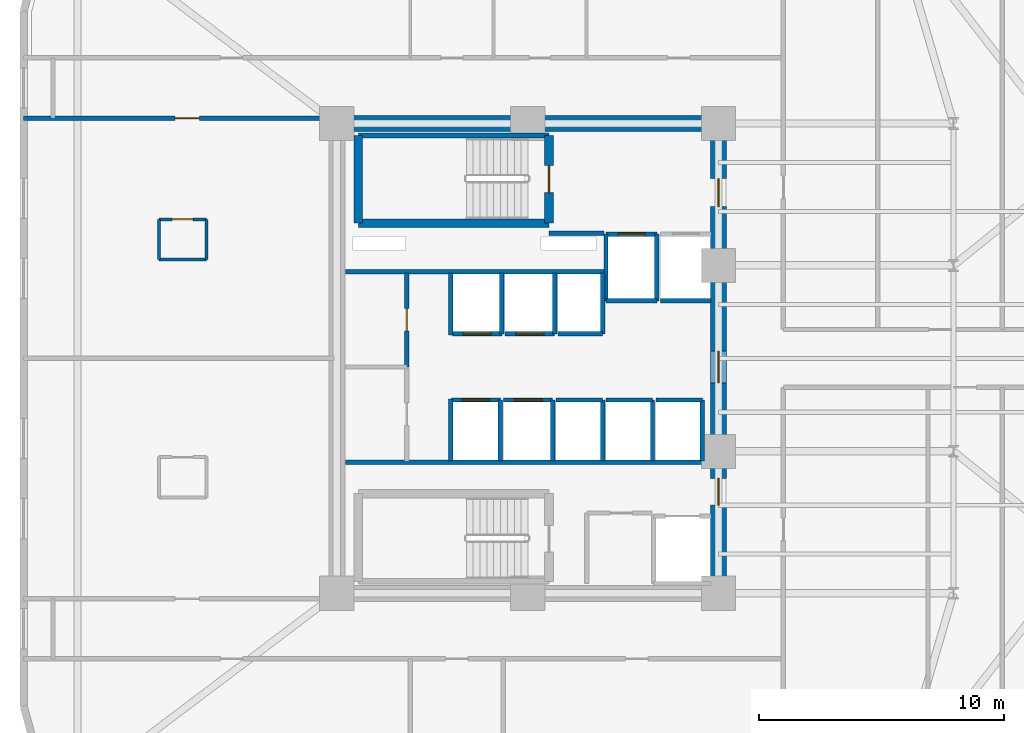
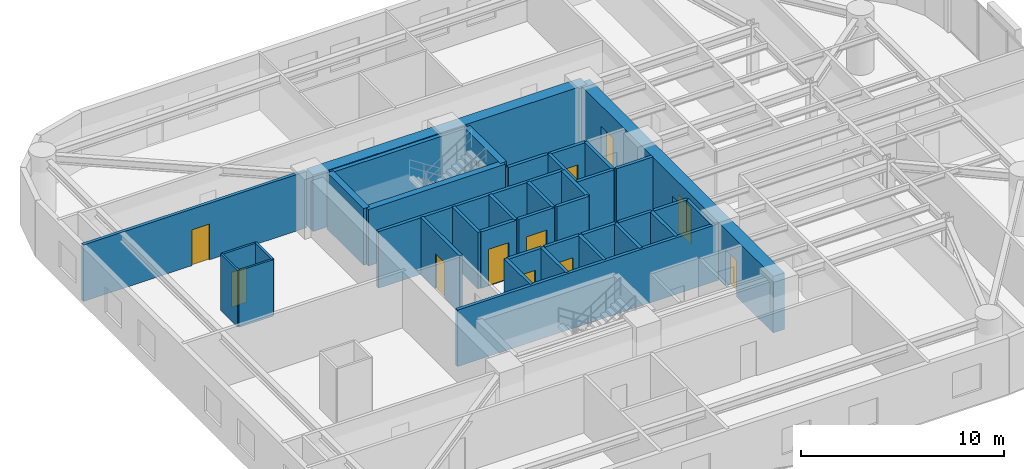
# One storey, part 11 of 16: 38 walls, 12 doors, 12 openings.
"""IFC4 building model written with IfcOpenShell, lengths in metres."""

from ifc_helpers import new_model, si_unit, direction, frame, frame_2d, origin, place, context, subcontext, project, spatial, rectangle, extrude, material, layer, layer_set, type_object, element, fill, save


model = new_model("IFC4")

# Units and contexts
model_context = context("Model", 3, precision=1e-05, world=origin(), true_north=direction((0.0, 1.0)))
body_context = subcontext(model_context, "Body", "Model", "MODEL_VIEW")
ifc_project = project(units=[si_unit("LENGTHUNIT", "METRE"), si_unit("AREAUNIT", "SQUARE_METRE"), si_unit("VOLUMEUNIT", "CUBIC_METRE"), si_unit("PLANEANGLEUNIT", "RADIAN"), si_unit("MASSUNIT", "GRAM", prefix="KILO")], contexts=[model_context])

# Site, building, storey
site_placement = place(None, origin())
site = spatial("IfcSite", under=ifc_project, at=site_placement, CompositionType="ELEMENT")
building_placement = place(site_placement, origin())
building = spatial("IfcBuilding", under=site, at=building_placement, Name="An Khanh Terracotta Commons", CompositionType="ELEMENT")
storey_placement = place(building_placement, frame((0.0, 0.0, 118.699951171875)))
storey = spatial("IfcBuildingStorey", under=building, at=storey_placement, Name="L31", CompositionType="ELEMENT", Elevation=118.699951171875)

# Wall
ifc_material_1 = material(Name="Concrete C60/75", Category="concrete")
ifc_layer_1 = layer(ifc_material_1, 0.64990234375, Name="Concrete C60/75")
ifc_layer_set_1 = layer_set([ifc_layer_1], Name="Concrete C60/75")
wall_type_1 = type_object("IfcWallType", Name="WALL-CORE-650", PredefinedType="SHEAR", material=ifc_layer_set_1)
wall_1_placement = place(storey_placement, frame((21.60009765625, 33.60009765625, 0.0), z_axis=(0.0, 0.0, 1.0), x_axis=(1.0, 0.0, 0.0)))
element("IfcWall", 1, at=wall_1_placement, inside=storey, type_object=wall_type_1, Name="L31 Core Wall CWALL-L31-N", PredefinedType="SHEAR", context=body_context, shape_type="SweptSolid", body=[
    extrude(rectangle(XDim=15.599853515625, YDim=0.64990234375, at=frame_2d((7.7998046875, 0.0))), origin(), (0.0, 0.0, 1.0), 3.400146484375),
])

# Wall, openings, doors
wall_2_placement = place(storey_placement, frame((37.199951171875, 14.39990234375, 0.0), z_axis=(0.0, 0.0, 1.0), x_axis=(0.0, 1.0, 0.0)))
wall_2 = element("IfcWall", 2, at=wall_2_placement, inside=storey, type_object=wall_type_1, Name="L31 Core Wall CWALL-L31-E", PredefinedType="SHEAR", context=body_context, shape_type="SweptSolid", body=[
    extrude(rectangle(XDim=19.2001953125, YDim=0.64990234375, at=frame_2d((9.60009765625, 0.0))), origin(), (0.0, 0.0, 1.0), 3.400146484375),
])
opening_1_placement = place(wall_2_placement, frame((15.800048828125, 0.0, 0.0)))
opening_1 = element("IfcOpeningElement", 3, at=opening_1_placement, cuts=wall_2, Name="Opening D-FFL", PredefinedType="OPENING", context=body_context, shape_type="SweptSolid", body=[
    extrude(rectangle(XDim=1.14990234375, YDim=2.14990234375, at=frame_2d((0.574951171875, 1.074951171875))), frame((0.0, 0.3349609375, 0.0), z_axis=(0.0, -1.0, 0.0), x_axis=(1.0, 0.0, 0.0)), (0.0, 0.0, 1.0), 0.669921875),
])
opening_2_placement = place(wall_2_placement, frame((3.60009765625, 0.0, 0.0)))
opening_2 = element("IfcOpeningElement", 4, at=opening_2_placement, cuts=wall_2, Name="Opening D-ST", PredefinedType="OPENING", context=body_context, shape_type="SweptSolid", body=[
    extrude(rectangle(XDim=1.10009765625, YDim=2.14990234375, at=frame_2d((0.550048828125, 1.074951171875))), frame((0.0, 0.3349609375, 0.0), z_axis=(0.0, -1.0, 0.0), x_axis=(1.0, 0.0, 0.0)), (0.0, 0.0, 1.0), 0.669921875),
])
opening_3_placement = place(wall_2_placement, frame((8.60009765625, 0.0, 0.0)))
opening_3 = element("IfcOpeningElement", 5, at=opening_3_placement, cuts=wall_2, Name="Opening D-COR", PredefinedType="OPENING", context=body_context, shape_type="SweptSolid", body=[
    extrude(rectangle(XDim=1.300048828125, YDim=2.199951171875, at=frame_2d((0.64990234375, 1.10009765625))), frame((0.0, 0.3349609375, 0.0), z_axis=(0.0, -1.0, 0.0), x_axis=(1.0, 0.0, 0.0)), (0.0, 0.0, 1.0), 0.669921875),
])
ifc_material_2 = material(Name="Fire-Rated Glazed Steel Double Door", Category="steel")
door_type_1 = type_object("IfcDoorType", Name="DOOR-CORR-1300", OperationType="NOTDEFINED", PredefinedType="DOOR", material=ifc_material_2)
door_1_placement = place(opening_3_placement, origin())
door_1 = element("IfcDoor", 6, at=door_1_placement, inside=storey, type_object=door_type_1, Name="L31 Passenger Lift Lobby Double Door", OperationType="DOUBLE_DOOR_SINGLE_SWING", OverallHeight=2.199951171875, OverallWidth=1.300048828125, PredefinedType="DOOR", context=body_context, shape_type="SweptSolid", body=[
    extrude(rectangle(XDim=1.300048828125, YDim=2.199951171875, at=frame_2d((0.64990234375, 1.10009765625))), frame((0.0, 0.02490234375, 0.0), z_axis=(0.0, -1.0, 0.0), x_axis=(1.0, 0.0, 0.0)), (0.0, 0.0, 1.0), 0.050048828125),
])
fill(opening_3, door_1)
ifc_material_3 = material(Name="Fire-Rated Steel Leaf and Vision Panel", Category="steel")
door_type_2 = type_object("IfcDoorType", Name="DOOR-FFL-1150", OperationType="NOTDEFINED", PredefinedType="DOOR", material=ifc_material_3)
door_2_placement = place(opening_1_placement, origin())
door_2 = element("IfcDoor", 7, at=door_2_placement, inside=storey, type_object=door_type_2, Name="L31 Firefighting Lift Lobby Fire Door", OperationType="SINGLE_SWING_RIGHT", OverallHeight=2.14990234375, OverallWidth=1.14990234375, PredefinedType="DOOR", context=body_context, shape_type="SweptSolid", body=[
    extrude(rectangle(XDim=1.14990234375, YDim=2.14990234375, at=frame_2d((0.574951171875, 1.074951171875))), frame((0.0, 0.02490234375, 0.0), z_axis=(0.0, -1.0, 0.0), x_axis=(1.0, 0.0, 0.0)), (0.0, 0.0, 1.0), 0.050048828125),
])
fill(opening_1, door_2)
ifc_material_4 = material(Name="Fire-Rated Steel Leaf and Frame", Category="steel")
door_type_3 = type_object("IfcDoorType", Name="DOOR-STAIR-1100", OperationType="NOTDEFINED", PredefinedType="DOOR", material=ifc_material_4)
door_3_placement = place(opening_2_placement, origin())
door_3 = element("IfcDoor", 8, at=door_3_placement, inside=storey, type_object=door_type_3, Name="L31 South Stair Lobby Fire Door", OperationType="SINGLE_SWING_LEFT", OverallHeight=2.14990234375, OverallWidth=1.10009765625, PredefinedType="DOOR", context=body_context, shape_type="SweptSolid", body=[
    extrude(rectangle(XDim=1.10009765625, YDim=2.14990234375, at=frame_2d((0.550048828125, 1.074951171875))), frame((0.0, 0.02490234375, 0.0), z_axis=(0.0, -1.0, 0.0), x_axis=(1.0, 0.0, 0.0)), (0.0, 0.0, 1.0), 0.050048828125),
])
fill(opening_2, door_3)

# Walls
ifc_material_5 = material(Name="Fire-Rated Gypsum Board on Steel Stud", Category="steel")
ifc_layer_2 = layer(ifc_material_5, 0.179931640625, Name="Fire-Rated Gypsum Board on Steel Stud")
ifc_layer_set_2 = layer_set([ifc_layer_2], Name="Fire-Rated Gypsum Board on Steel Stud")
wall_type_2 = type_object("IfcWallType", Name="WALL-CORR-180", PredefinedType="PARTITIONING", material=ifc_layer_set_2)
wall_3_placement = place(storey_placement, frame((30.27001953125, 29.1201171875, 0.0), z_axis=(0.0, 0.0, 1.0), x_axis=(1.0, 0.0, 0.0)))
element("IfcWall", 9, at=wall_3_placement, inside=storey, type_object=wall_type_2, Name="L31 Core Wall FFLW-L31-S", PredefinedType="PARTITIONING", context=body_context, shape_type="SweptSolid", body=[
    extrude(rectangle(XDim=2.239990234375, YDim=0.179931640625, at=frame_2d((1.1201171875, 0.0))), origin(), (0.0, 0.0, 1.0), 3.400146484375),
])
wall_4_placement = place(storey_placement, frame((21.949951171875, 27.5400390625, 0.0), z_axis=(0.0, 0.0, 1.0), x_axis=(1.0, 0.0, 0.0)))
element("IfcWall", 10, at=wall_4_placement, inside=storey, type_object=wall_type_2, Name="L31 Core Wall RSRW-L31-S", PredefinedType="PARTITIONING", context=body_context, shape_type="SweptSolid", body=[
    extrude(rectangle(XDim=10.56005859375, YDim=0.179931640625, at=frame_2d((5.280029296875, 0.0))), origin(), (0.0, 0.0, 1.0), 3.400146484375),
])
wall_5_placement = place(storey_placement, frame((21.949951171875, 19.760009765625, 0.0), z_axis=(0.0, 0.0, 1.0), x_axis=(1.0, 0.0, 0.0)))
element("IfcWall", 11, at=wall_5_placement, inside=storey, type_object=wall_type_2, Name="L31 Core Wall SVW-L31-N", PredefinedType="PARTITIONING", context=body_context, shape_type="SweptSolid", body=[
    extrude(rectangle(XDim=14.8701171875, YDim=0.179931640625, at=frame_2d((7.43505859375, 0.0))), origin(), (0.0, 0.0, 1.0), 3.400146484375),
])

# Wall, opening, door
wall_6_placement = place(storey_placement, frame((32.60009765625, 29.080078125, 0.0), z_axis=(0.0, 0.0, 1.0), x_axis=(1.0, 0.0, 0.0)))
wall_6 = element("IfcWall", 12, at=wall_6_placement, inside=storey, type_object=wall_type_2, Name="L31 Core Wall LSH-L31-FFL-01-N", PredefinedType="PARTITIONING", context=body_context, shape_type="SweptSolid", body=[
    extrude(rectangle(XDim=2.079833984375, YDim=0.179931640625, at=frame_2d((1.0400390625, 0.0))), origin(), (0.0, 0.0, 1.0), 3.400146484375),
])
opening_4_placement = place(wall_6_placement, frame((0.489990234375, 0.0, 0.0)))
opening_4 = element("IfcOpeningElement", 13, at=opening_4_placement, cuts=wall_6, Name="Opening LD-FFL-01-L31", PredefinedType="OPENING", context=body_context, shape_type="SweptSolid", body=[
    extrude(rectangle(XDim=1.10009765625, YDim=2.199951171875, at=frame_2d((0.550048828125, 1.10009765625))), frame((0.0, 0.099853515625, 0.0), z_axis=(0.0, -1.0, 0.0), x_axis=(1.0, 0.0, 0.0)), (0.0, 0.0, 1.0), 0.199951171875),
])
ifc_material_6 = material(Name="Brushed Stainless Steel Fire Landing Door", Category="steel")
door_type_4 = type_object("IfcDoorType", Name="DOOR-LD-FFL-1100", OperationType="NOTDEFINED", PredefinedType="DOOR", material=ifc_material_6)
door_4_placement = place(opening_4_placement, origin())
door_4 = element("IfcDoor", 14, at=door_4_placement, inside=storey, type_object=door_type_4, Name="L31 Lift FFL-01 Sliding Landing Door", OperationType="DOUBLE_DOOR_SLIDING", OverallHeight=2.199951171875, OverallWidth=1.10009765625, PredefinedType="DOOR", context=body_context, shape_type="SweptSolid", body=[
    extrude(rectangle(XDim=1.10009765625, YDim=2.199951171875, at=frame_2d((0.550048828125, 1.10009765625))), frame((0.0, 0.02490234375, 0.0), z_axis=(0.0, -1.0, 0.0), x_axis=(1.0, 0.0, 0.0)), (0.0, 0.0, 1.0), 0.050048828125),
])
fill(opening_4, door_4)

# Walls
wall_7_placement = place(storey_placement, frame((34.679931640625, 26.35009765625, 0.0), z_axis=(0.0, 0.0, 1.0), x_axis=(-1.0, 0.0, 0.0)))
element("IfcWall", 15, at=wall_7_placement, inside=storey, type_object=wall_type_2, Name="L31 Core Wall LSH-L31-FFL-01-S", PredefinedType="PARTITIONING", context=body_context, shape_type="SweptSolid", body=[
    extrude(rectangle(XDim=2.079833984375, YDim=0.179931640625, at=frame_2d((1.0400390625, 0.0))), origin(), (0.0, 0.0, 1.0), 3.400146484375),
])
for number, where, z_axis, x_axis, name in (
    (16, (34.679931640625, 26.35009765625, 0.0), (0.0, 0.0, 1.0), (0.0, 1.0, 0.0), "L31 Core Wall LSH-L31-FFL-01-E"),
    (17, (32.60009765625, 29.080078125, 0.0), (0.0, 0.0, 1.0), (0.0, -1.0, 0.0), "L31 Core Wall LSH-L31-FFL-01-W"),
):
    element("IfcWall", number, at=place(storey_placement, frame(where, z_axis=z_axis, x_axis=x_axis)), inside=storey, type_object=wall_type_2, Name=name, PredefinedType="PARTITIONING", context=body_context, shape_type="SweptSolid", body=[
        extrude(rectangle(XDim=2.72998046875, YDim=0.179931640625, at=frame_2d((1.364990234375, 0.0))), origin(), (0.0, 0.0, 1.0), 3.400146484375),
    ])
wall_8_placement = place(storey_placement, frame((36.89990234375, 26.35009765625, 0.0), z_axis=(0.0, 0.0, 1.0), x_axis=(-1.0, 0.0, 0.0)))
element("IfcWall", 18, at=wall_8_placement, inside=storey, type_object=wall_type_2, Name="L31 Core Wall LSH-L31-FFL-02-S", PredefinedType="PARTITIONING", context=body_context, shape_type="SweptSolid", body=[
    extrude(rectangle(XDim=2.079833984375, YDim=0.179931640625, at=frame_2d((1.0400390625, 0.0))), origin(), (0.0, 0.0, 1.0), 3.400146484375),
])

# Wall, opening, door
wall_9_placement = place(storey_placement, frame((28.340087890625, 25.0, 0.0), z_axis=(0.0, 0.0, 1.0), x_axis=(-1.0, 0.0, 0.0)))
wall_9 = element("IfcWall", 19, at=wall_9_placement, inside=storey, type_object=wall_type_2, Name="L31 Core Wall LSH-L31-PL-M1-S", PredefinedType="PARTITIONING", context=body_context, shape_type="SweptSolid", body=[
    extrude(rectangle(XDim=2.02001953125, YDim=0.179931640625, at=frame_2d((1.010009765625, 0.0))), origin(), (0.0, 0.0, 1.0), 3.400146484375),
])
opening_5_placement = place(wall_9_placement, frame((0.43505859375, 0.0, 0.0)))
opening_5 = element("IfcOpeningElement", 20, at=opening_5_placement, cuts=wall_9, Name="Opening LD-PL-M1-L31", PredefinedType="OPENING", context=body_context, shape_type="SweptSolid", body=[
    extrude(rectangle(XDim=1.14990234375, YDim=2.199951171875, at=frame_2d((0.574951171875, 1.10009765625))), frame((0.0, 0.099853515625, 0.0), z_axis=(0.0, -1.0, 0.0), x_axis=(1.0, 0.0, 0.0)), (0.0, 0.0, 1.0), 0.199951171875),
])
ifc_material_7 = material(Name="Brushed Stainless Steel Passenger Landing Door", Category="steel")
door_type_5 = type_object("IfcDoorType", Name="DOOR-LD-PAX-1150", OperationType="NOTDEFINED", PredefinedType="DOOR", material=ifc_material_7)
door_5_placement = place(opening_5_placement, origin())
door_5 = element("IfcDoor", 21, at=door_5_placement, inside=storey, type_object=door_type_5, Name="L31 Lift PL-M1 Sliding Landing Door", OperationType="DOUBLE_DOOR_SLIDING", OverallHeight=2.199951171875, OverallWidth=1.14990234375, PredefinedType="DOOR", context=body_context, shape_type="SweptSolid", body=[
    extrude(rectangle(XDim=1.14990234375, YDim=2.199951171875, at=frame_2d((0.574951171875, 1.10009765625))), frame((0.0, 0.02490234375, 0.0), z_axis=(0.0, -1.0, 0.0), x_axis=(1.0, 0.0, 0.0)), (0.0, 0.0, 1.0), 0.050048828125),
])
fill(opening_5, door_5)

# Wall
wall_10_placement = place(storey_placement, frame((28.340087890625, 25.0, 0.0), z_axis=(0.0, 0.0, 1.0), x_axis=(0.0, 1.0, 0.0)))
element("IfcWall", 22, at=wall_10_placement, inside=storey, type_object=wall_type_2, Name="L31 Core Wall LSH-L31-PL-M1-E", PredefinedType="PARTITIONING", context=body_context, shape_type="SweptSolid", body=[
    extrude(rectangle(XDim=2.5, YDim=0.179931640625, at=frame_2d((1.25, 0.0))), origin(), (0.0, 0.0, 1.0), 3.400146484375),
])

# Wall, opening, door
wall_11_placement = place(storey_placement, frame((30.5, 25.0, 0.0), z_axis=(0.0, 0.0, 1.0), x_axis=(-1.0, 0.0, 0.0)))
wall_11 = element("IfcWall", 23, at=wall_11_placement, inside=storey, type_object=wall_type_2, Name="L31 Core Wall LSH-L31-PL-M2-S", PredefinedType="PARTITIONING", context=body_context, shape_type="SweptSolid", body=[
    extrude(rectangle(XDim=2.02001953125, YDim=0.179931640625, at=frame_2d((1.010009765625, 0.0))), origin(), (0.0, 0.0, 1.0), 3.400146484375),
])
opening_6_placement = place(wall_11_placement, frame((0.43505859375, 0.0, 0.0)))
opening_6 = element("IfcOpeningElement", 24, at=opening_6_placement, cuts=wall_11, Name="Opening LD-PL-M2-L31", PredefinedType="OPENING", context=body_context, shape_type="SweptSolid", body=[
    extrude(rectangle(XDim=1.14990234375, YDim=2.199951171875, at=frame_2d((0.574951171875, 1.10009765625))), frame((0.0, 0.099853515625, 0.0), z_axis=(0.0, -1.0, 0.0), x_axis=(1.0, 0.0, 0.0)), (0.0, 0.0, 1.0), 0.199951171875),
])
door_6_placement = place(opening_6_placement, origin())
door_6 = element("IfcDoor", 25, at=door_6_placement, inside=storey, type_object=door_type_5, Name="L31 Lift PL-M2 Sliding Landing Door", OperationType="DOUBLE_DOOR_SLIDING", OverallHeight=2.199951171875, OverallWidth=1.14990234375, PredefinedType="DOOR", context=body_context, shape_type="SweptSolid", body=[
    extrude(rectangle(XDim=1.14990234375, YDim=2.199951171875, at=frame_2d((0.574951171875, 1.10009765625))), frame((0.0, 0.02490234375, 0.0), z_axis=(0.0, -1.0, 0.0), x_axis=(1.0, 0.0, 0.0)), (0.0, 0.0, 1.0), 0.050048828125),
])
fill(opening_6, door_6)

# Wall
wall_12_placement = place(storey_placement, frame((30.5, 25.0, 0.0), z_axis=(0.0, 0.0, 1.0), x_axis=(0.0, 1.0, 0.0)))
element("IfcWall", 26, at=wall_12_placement, inside=storey, type_object=wall_type_2, Name="L31 Core Wall LSH-L31-PL-M2-E", PredefinedType="PARTITIONING", context=body_context, shape_type="SweptSolid", body=[
    extrude(rectangle(XDim=2.5, YDim=0.179931640625, at=frame_2d((1.25, 0.0))), origin(), (0.0, 0.0, 1.0), 3.400146484375),
])

# Wall, opening, door
wall_13_placement = place(storey_placement, frame((26.280029296875, 22.300048828125, 0.0), z_axis=(0.0, 0.0, 1.0), x_axis=(1.0, 0.0, 0.0)))
wall_13 = element("IfcWall", 27, at=wall_13_placement, inside=storey, type_object=wall_type_2, Name="L31 Core Wall LSH-L31-PL-M3-N", PredefinedType="PARTITIONING", context=body_context, shape_type="SweptSolid", body=[
    extrude(rectangle(XDim=2.0, YDim=0.179931640625, at=frame_2d((1.0, 0.0))), origin(), (0.0, 0.0, 1.0), 3.400146484375),
])
opening_7_placement = place(wall_13_placement, frame((0.425048828125, 0.0, 0.0)))
opening_7 = element("IfcOpeningElement", 28, at=opening_7_placement, cuts=wall_13, Name="Opening LD-PL-M3-L31", PredefinedType="OPENING", context=body_context, shape_type="SweptSolid", body=[
    extrude(rectangle(XDim=1.14990234375, YDim=2.199951171875, at=frame_2d((0.574951171875, 1.10009765625))), frame((0.0, 0.099853515625, 0.0), z_axis=(0.0, -1.0, 0.0), x_axis=(1.0, 0.0, 0.0)), (0.0, 0.0, 1.0), 0.199951171875),
])
door_7_placement = place(opening_7_placement, origin())
door_7 = element("IfcDoor", 29, at=door_7_placement, inside=storey, type_object=door_type_5, Name="L31 Lift PL-M3 Sliding Landing Door", OperationType="DOUBLE_DOOR_SLIDING", OverallHeight=2.199951171875, OverallWidth=1.14990234375, PredefinedType="DOOR", context=body_context, shape_type="SweptSolid", body=[
    extrude(rectangle(XDim=1.14990234375, YDim=2.199951171875, at=frame_2d((0.574951171875, 1.10009765625))), frame((0.0, 0.02490234375, 0.0), z_axis=(0.0, -1.0, 0.0), x_axis=(1.0, 0.0, 0.0)), (0.0, 0.0, 1.0), 0.050048828125),
])
fill(opening_7, door_7)

# Wall
wall_14_placement = place(storey_placement, frame((28.280029296875, 19.800048828125, 0.0), z_axis=(0.0, 0.0, 1.0), x_axis=(0.0, 1.0, 0.0)))
element("IfcWall", 30, at=wall_14_placement, inside=storey, type_object=wall_type_2, Name="L31 Core Wall LSH-L31-PL-M3-E", PredefinedType="PARTITIONING", context=body_context, shape_type="SweptSolid", body=[
    extrude(rectangle(XDim=2.5, YDim=0.179931640625, at=frame_2d((1.25, 0.0))), origin(), (0.0, 0.0, 1.0), 3.400146484375),
])

# Wall, opening, door
wall_15_placement = place(storey_placement, frame((28.419921875, 22.300048828125, 0.0), z_axis=(0.0, 0.0, 1.0), x_axis=(1.0, 0.0, 0.0)))
wall_15 = element("IfcWall", 31, at=wall_15_placement, inside=storey, type_object=wall_type_2, Name="L31 Core Wall LSH-L31-PL-M4-N", PredefinedType="PARTITIONING", context=body_context, shape_type="SweptSolid", body=[
    extrude(rectangle(XDim=2.0, YDim=0.179931640625, at=frame_2d((1.0, 0.0))), origin(), (0.0, 0.0, 1.0), 3.400146484375),
])
opening_8_placement = place(wall_15_placement, frame((0.425048828125, 0.0, 0.0)))
opening_8 = element("IfcOpeningElement", 32, at=opening_8_placement, cuts=wall_15, Name="Opening LD-PL-M4-L31", PredefinedType="OPENING", context=body_context, shape_type="SweptSolid", body=[
    extrude(rectangle(XDim=1.14990234375, YDim=2.199951171875, at=frame_2d((0.574951171875, 1.10009765625))), frame((0.0, 0.099853515625, 0.0), z_axis=(0.0, -1.0, 0.0), x_axis=(1.0, 0.0, 0.0)), (0.0, 0.0, 1.0), 0.199951171875),
])
door_8_placement = place(opening_8_placement, origin())
door_8 = element("IfcDoor", 33, at=door_8_placement, inside=storey, type_object=door_type_5, Name="L31 Lift PL-M4 Sliding Landing Door", OperationType="DOUBLE_DOOR_SLIDING", OverallHeight=2.199951171875, OverallWidth=1.14990234375, PredefinedType="DOOR", context=body_context, shape_type="SweptSolid", body=[
    extrude(rectangle(XDim=1.14990234375, YDim=2.199951171875, at=frame_2d((0.574951171875, 1.10009765625))), frame((0.0, 0.02490234375, 0.0), z_axis=(0.0, -1.0, 0.0), x_axis=(1.0, 0.0, 0.0)), (0.0, 0.0, 1.0), 0.050048828125),
])
fill(opening_8, door_8)

# Walls
wall_16_placement = place(storey_placement, frame((30.419921875, 19.800048828125, 0.0), z_axis=(0.0, 0.0, 1.0), x_axis=(0.0, 1.0, 0.0)))
element("IfcWall", 34, at=wall_16_placement, inside=storey, type_object=wall_type_2, Name="L31 Core Wall LSH-L31-PL-M4-E", PredefinedType="PARTITIONING", context=body_context, shape_type="SweptSolid", body=[
    extrude(rectangle(XDim=2.5, YDim=0.179931640625, at=frame_2d((1.25, 0.0))), origin(), (0.0, 0.0, 1.0), 3.400146484375),
])
wall_17_placement = place(storey_placement, frame((32.4599609375, 25.0, 0.0), z_axis=(0.0, 0.0, 1.0), x_axis=(-1.0, 0.0, 0.0)))
element("IfcWall", 35, at=wall_17_placement, inside=storey, type_object=wall_type_2, Name="L31 Core Wall LSH-L31-PL-H1-S", PredefinedType="PARTITIONING", context=body_context, shape_type="SweptSolid", body=[
    extrude(rectangle(XDim=1.820068359375, YDim=0.179931640625, at=frame_2d((0.91015625, 0.0))), origin(), (0.0, 0.0, 1.0), 3.400146484375),
])
wall_18_placement = place(storey_placement, frame((32.4599609375, 25.0, 0.0), z_axis=(0.0, 0.0, 1.0), x_axis=(0.0, 1.0, 0.0)))
element("IfcWall", 36, at=wall_18_placement, inside=storey, type_object=wall_type_2, Name="L31 Core Wall LSH-L31-PL-H1-E", PredefinedType="PARTITIONING", context=body_context, shape_type="SweptSolid", body=[
    extrude(rectangle(XDim=2.5, YDim=0.179931640625, at=frame_2d((1.25, 0.0))), origin(), (0.0, 0.0, 1.0), 3.400146484375),
])
wall_19_placement = place(storey_placement, frame((30.56005859375, 22.300048828125, 0.0), z_axis=(0.0, 0.0, 1.0), x_axis=(1.0, 0.0, 0.0)))
element("IfcWall", 37, at=wall_19_placement, inside=storey, type_object=wall_type_2, Name="L31 Core Wall LSH-L31-PL-H2-N", PredefinedType="PARTITIONING", context=body_context, shape_type="SweptSolid", body=[
    extrude(rectangle(XDim=1.89990234375, YDim=0.179931640625, at=frame_2d((0.949951171875, 0.0))), origin(), (0.0, 0.0, 1.0), 3.400146484375),
])
wall_20_placement = place(storey_placement, frame((32.4599609375, 19.800048828125, 0.0), z_axis=(0.0, 0.0, 1.0), x_axis=(0.0, 1.0, 0.0)))
element("IfcWall", 38, at=wall_20_placement, inside=storey, type_object=wall_type_2, Name="L31 Core Wall LSH-L31-PL-H2-E", PredefinedType="PARTITIONING", context=body_context, shape_type="SweptSolid", body=[
    extrude(rectangle(XDim=2.5, YDim=0.179931640625, at=frame_2d((1.25, 0.0))), origin(), (0.0, 0.0, 1.0), 3.400146484375),
])
wall_21_placement = place(storey_placement, frame((32.60009765625, 22.300048828125, 0.0), z_axis=(0.0, 0.0, 1.0), x_axis=(1.0, 0.0, 0.0)))
element("IfcWall", 39, at=wall_21_placement, inside=storey, type_object=wall_type_2, Name="L31 Core Wall LSH-L31-PL-H3-N", PredefinedType="PARTITIONING", context=body_context, shape_type="SweptSolid", body=[
    extrude(rectangle(XDim=1.89990234375, YDim=0.179931640625, at=frame_2d((0.949951171875, 0.0))), origin(), (0.0, 0.0, 1.0), 3.400146484375),
])
wall_22_placement = place(storey_placement, frame((34.5, 19.800048828125, 0.0), z_axis=(0.0, 0.0, 1.0), x_axis=(0.0, 1.0, 0.0)))
element("IfcWall", 40, at=wall_22_placement, inside=storey, type_object=wall_type_2, Name="L31 Core Wall LSH-L31-PL-H3-E", PredefinedType="PARTITIONING", context=body_context, shape_type="SweptSolid", body=[
    extrude(rectangle(XDim=2.5, YDim=0.179931640625, at=frame_2d((1.25, 0.0))), origin(), (0.0, 0.0, 1.0), 3.400146484375),
])
wall_23_placement = place(storey_placement, frame((34.639892578125, 22.300048828125, 0.0), z_axis=(0.0, 0.0, 1.0), x_axis=(1.0, 0.0, 0.0)))
element("IfcWall", 41, at=wall_23_placement, inside=storey, type_object=wall_type_2, Name="L31 Core Wall LSH-L31-PL-H4-N", PredefinedType="PARTITIONING", context=body_context, shape_type="SweptSolid", body=[
    extrude(rectangle(XDim=1.900146484375, YDim=0.179931640625, at=frame_2d((0.9501953125, 0.0))), origin(), (0.0, 0.0, 1.0), 3.400146484375),
])
wall_24_placement = place(storey_placement, frame((36.5400390625, 19.800048828125, 0.0), z_axis=(0.0, 0.0, 1.0), x_axis=(0.0, 1.0, 0.0)))
element("IfcWall", 42, at=wall_24_placement, inside=storey, type_object=wall_type_2, Name="L31 Core Wall LSH-L31-PL-H4-E", PredefinedType="PARTITIONING", context=body_context, shape_type="SweptSolid", body=[
    extrude(rectangle(XDim=2.5, YDim=0.179931640625, at=frame_2d((1.25, 0.0))), origin(), (0.0, 0.0, 1.0), 3.400146484375),
])

# Wall, opening, door
wall_25_placement = place(storey_placement, frame((24.4599609375, 23.64990234375, 0.0), z_axis=(0.0, 0.0, 1.0), x_axis=(0.0, 1.0, 0.0)))
wall_25 = element("IfcWall", 43, at=wall_25_placement, inside=storey, type_object=wall_type_2, Name="L31 Core Wall RECW-L31-E1", PredefinedType="PARTITIONING", context=body_context, shape_type="SweptSolid", body=[
    extrude(rectangle(XDim=3.85009765625, YDim=0.179931640625, at=frame_2d((1.925048828125, 0.0))), origin(), (0.0, 0.0, 1.0), 3.400146484375),
])
opening_9_placement = place(wall_25_placement, frame((1.465087890625, 0.0, 0.0)))
opening_9 = element("IfcOpeningElement", 44, at=opening_9_placement, cuts=wall_25, Name="Opening D-RM", PredefinedType="OPENING", context=body_context, shape_type="SweptSolid", body=[
    extrude(rectangle(XDim=0.919921875, YDim=2.10009765625, at=frame_2d((0.4599609375, 1.050048828125))), frame((0.0, 0.099853515625, 0.0), z_axis=(0.0, -1.0, 0.0), x_axis=(1.0, 0.0, 0.0)), (0.0, 0.0, 1.0), 0.199951171875),
])
ifc_material_8 = material(Name="Engineered Hardwood Timber Leaf", Category="wood")
door_type_6 = type_object("IfcDoorType", Name="DOOR-INT-920", OperationType="NOTDEFINED", PredefinedType="DOOR", material=ifc_material_8)
door_9_placement = place(opening_9_placement, origin())
door_9 = element("IfcDoor", 45, at=door_9_placement, inside=storey, type_object=door_type_6, Name="L31 Communal Laundry Room Door", OperationType="SINGLE_SWING_LEFT", OverallHeight=2.10009765625, OverallWidth=0.919921875, PredefinedType="DOOR", context=body_context, shape_type="SweptSolid", body=[
    extrude(rectangle(XDim=0.919921875, YDim=2.10009765625, at=frame_2d((0.4599609375, 1.050048828125))), frame((0.0, 0.02490234375, 0.0), z_axis=(0.0, -1.0, 0.0), x_axis=(1.0, 0.0, 0.0)), (0.0, 0.0, 1.0), 0.050048828125),
])
fill(opening_9, door_9)

# Walls
for number, where, z_axis, x_axis, name in (
    (46, (26.25, 24.949951171875, 0.0), (0.0, 0.0, 1.0), (0.0, 1.0, 0.0), "L31 Core Wall RECW-L31-BE1"),
    (47, (26.25, 19.800048828125, 0.0), (0.0, 0.0, 1.0), (0.0, 1.0, 0.0), "L31 Core Wall RECW-L31-BE2"),
):
    element("IfcWall", number, at=place(storey_placement, frame(where, z_axis=z_axis, x_axis=x_axis)), inside=storey, type_object=wall_type_2, Name=name, PredefinedType="PARTITIONING", context=body_context, shape_type="SweptSolid", body=[
        extrude(rectangle(XDim=2.550048828125, YDim=0.179931640625, at=frame_2d((1.27490234375, 0.0))), origin(), (0.0, 0.0, 1.0), 3.400146484375),
    ])

# Wall, opening, door
wall_26_placement = place(storey_placement, frame((8.800048828125, 33.820068359375, 0.0), z_axis=(0.0, 0.0, 1.0), x_axis=(1.0, 0.0, 0.0)))
wall_26 = element("IfcWall", 48, at=wall_26_placement, inside=storey, type_object=wall_type_2, Name="L31 Interior Partition IW-L31-E007", PredefinedType="PARTITIONING", context=body_context, shape_type="SweptSolid", body=[
    extrude(rectangle(XDim=12.679931640625, YDim=0.179931640625, at=frame_2d((6.33984375, 0.0))), origin(), (0.0, 0.0, 1.0), 3.400146484375),
])
opening_10_placement = place(wall_26_placement, frame((6.179931640625, 0.0, 0.0)))
opening_10 = element("IfcOpeningElement", 49, at=opening_10_placement, cuts=wall_26, Name="Opening D-UN", PredefinedType="OPENING", context=body_context, shape_type="SweptSolid", body=[
    extrude(rectangle(XDim=1.0, YDim=2.14990234375, at=frame_2d((0.5, 1.074951171875))), frame((0.0, 0.099853515625, 0.0), z_axis=(0.0, -1.0, 0.0), x_axis=(1.0, 0.0, 0.0)), (0.0, 0.0, 1.0), 0.199951171875),
])
ifc_material_9 = material(Name="Solid-Core Hardwood Acoustic Fire Door", Category="wood")
door_type_7 = type_object("IfcDoorType", Name="DOOR-UNIT-1000", OperationType="NOTDEFINED", PredefinedType="DOOR", material=ifc_material_9)
door_10_placement = place(opening_10_placement, origin())
door_10 = element("IfcDoor", 50, at=door_10_placement, inside=storey, type_object=door_type_7, Name="L31 WW2 Kitchenette and Studio Apartment Door", OperationType="SINGLE_SWING_RIGHT", OverallHeight=2.14990234375, OverallWidth=1.0, PredefinedType="DOOR", context=body_context, shape_type="SweptSolid", body=[
    extrude(rectangle(XDim=1.0, YDim=2.14990234375, at=frame_2d((0.5, 1.074951171875))), frame((0.0, 0.02490234375, 0.0), z_axis=(0.0, -1.0, 0.0), x_axis=(1.0, 0.0, 0.0)), (0.0, 0.0, 1.0), 0.050048828125),
])
fill(opening_10, door_10)

# Walls
ifc_material_10 = material(Name="Acoustic Double-Stud Gypsum and Mineral Wool")
ifc_layer_3 = layer(ifc_material_10, 0.219970703125, Name="Acoustic Double-Stud Gypsum and Mineral Wool")
ifc_layer_set_3 = layer_set([ifc_layer_3], Name="Acoustic Double-Stud Gypsum and Mineral Wool")
wall_type_3 = type_object("IfcWallType", Name="WALL-PARTY-220", PredefinedType="PARTITIONING", material=ifc_layer_set_3)
wall_27_placement = place(storey_placement, frame((22.47998046875, 33.110107421875, 0.0), z_axis=(0.0, 0.0, 1.0), x_axis=(1.0, 0.0, 0.0)))
element("IfcWall", 51, at=wall_27_placement, inside=storey, type_object=wall_type_3, Name="L31 Core Wall STW-L31-N-N", PredefinedType="PARTITIONING", context=body_context, shape_type="SweptSolid", body=[
    extrude(rectangle(XDim=7.7900390625, YDim=0.219970703125, at=frame_2d((3.89501953125, 0.0))), origin(), (0.0, 0.0, 1.0), 3.400146484375),
])
ifc_material_11 = material(Name="Concrete C50/60", Category="concrete")
ifc_layer_4 = layer(ifc_material_11, 0.35009765625, Name="Concrete C50/60")
ifc_layer_set_4 = layer_set([ifc_layer_4], Name="Concrete C50/60")
wall_type_4 = type_object("IfcWallType", Name="WALL-SHAFT-350", PredefinedType="SOLIDWALL", material=ifc_layer_set_4)
wall_28_placement = place(storey_placement, frame((22.47998046875, 29.530029296875, 0.0), z_axis=(0.0, 0.0, 1.0), x_axis=(1.0, 0.0, 0.0)))
element("IfcWall", 52, at=wall_28_placement, inside=storey, type_object=wall_type_4, Name="L31 Core Wall STW-L31-N-S", PredefinedType="SOLIDWALL", context=body_context, shape_type="SweptSolid", body=[
    extrude(rectangle(XDim=7.7900390625, YDim=0.35009765625, at=frame_2d((3.89501953125, 0.0))), origin(), (0.0, 0.0, 1.0), 3.400146484375),
])
wall_29_placement = place(storey_placement, frame((22.47998046875, 29.530029296875, 0.0), z_axis=(0.0, 0.0, 1.0), x_axis=(0.0, 1.0, 0.0)))
element("IfcWall", 53, at=wall_29_placement, inside=storey, type_object=wall_type_4, Name="L31 Core Wall STW-L31-N-W", PredefinedType="SOLIDWALL", context=body_context, shape_type="SweptSolid", body=[
    extrude(rectangle(XDim=3.580078125, YDim=0.35009765625, at=frame_2d((1.7900390625, 0.0))), origin(), (0.0, 0.0, 1.0), 3.400146484375),
])

# Wall, opening, door
wall_30_placement = place(storey_placement, frame((30.27001953125, 29.530029296875, 0.0), z_axis=(0.0, 0.0, 1.0), x_axis=(0.0, 1.0, 0.0)))
wall_30 = element("IfcWall", 54, at=wall_30_placement, inside=storey, type_object=wall_type_4, Name="L31 Core Wall STW-L31-N-E", PredefinedType="SOLIDWALL", context=body_context, shape_type="SweptSolid", body=[
    extrude(rectangle(XDim=3.580078125, YDim=0.35009765625, at=frame_2d((1.7900390625, 0.0))), origin(), (0.0, 0.0, 1.0), 3.400146484375),
])
opening_11_placement = place(wall_30_placement, frame((1.25, 0.0, 0.0)))
opening_11 = element("IfcOpeningElement", 55, at=opening_11_placement, cuts=wall_30, Name="Opening D-ST", PredefinedType="OPENING", context=body_context, shape_type="SweptSolid", body=[
    extrude(rectangle(XDim=1.10009765625, YDim=2.14990234375, at=frame_2d((0.550048828125, 1.074951171875))), frame((0.0, 0.18505859375, 0.0), z_axis=(0.0, -1.0, 0.0), x_axis=(1.0, 0.0, 0.0)), (0.0, 0.0, 1.0), 0.3701171875),
])
door_11_placement = place(opening_11_placement, origin())
door_11 = element("IfcDoor", 56, at=door_11_placement, inside=storey, type_object=door_type_3, Name="L31 Stair ST-01 Fire Door", OperationType="SINGLE_SWING_RIGHT", OverallHeight=2.14990234375, OverallWidth=1.10009765625, PredefinedType="DOOR", context=body_context, shape_type="SweptSolid", body=[
    extrude(rectangle(XDim=1.10009765625, YDim=2.14990234375, at=frame_2d((0.550048828125, 1.074951171875))), frame((0.0, 0.02490234375, 0.0), z_axis=(0.0, -1.0, 0.0), x_axis=(1.0, 0.0, 0.0)), (0.0, 0.0, 1.0), 0.050048828125),
])
fill(opening_11, door_11)

ifc_material_12 = material(Name="Moisture-Resistant Cement Board Partition")
ifc_layer_5 = layer(ifc_material_12, 0.1201171875, Name="Moisture-Resistant Cement Board Partition")
ifc_layer_set_5 = layer_set([ifc_layer_5], Name="Moisture-Resistant Cement Board Partition")
wall_type_5 = type_object("IfcWallType", Name="WALL-WET-120", PredefinedType="PARTITIONING", material=ifc_layer_set_5)
wall_31_placement = place(storey_placement, frame((14.324951171875, 29.68505859375, 0.0), z_axis=(0.0, 0.0, 1.0), x_axis=(1.0, 0.0, 0.0)))
wall_31 = element("IfcWall", 57, at=wall_31_placement, inside=storey, type_object=wall_type_5, Name="L31 Interior Partition IW-L31-WW2-BN", PredefinedType="PARTITIONING", context=body_context, shape_type="SweptSolid", body=[
    extrude(rectangle(XDim=1.949951171875, YDim=0.1201171875, at=frame_2d((0.97509765625, 0.0))), origin(), (0.0, 0.0, 1.0), 3.400146484375),
])
opening_12_placement = place(wall_31_placement, frame((0.544921875, 0.0, 0.0)))
opening_12 = element("IfcOpeningElement", 58, at=opening_12_placement, cuts=wall_31, Name="Opening D-ENS", PredefinedType="OPENING", context=body_context, shape_type="SweptSolid", body=[
    extrude(rectangle(XDim=0.860107421875, YDim=2.10009765625, at=frame_2d((0.43017578125, 1.050048828125))), frame((0.0, 0.070068359375, 0.0), z_axis=(0.0, -1.0, 0.0), x_axis=(1.0, 0.0, 0.0)), (0.0, 0.0, 1.0), 0.14013671875),
])
ifc_material_13 = material(Name="Moisture-Resistant Hardwood Timber Leaf", Category="wood")
door_type_8 = type_object("IfcDoorType", Name="DOOR-BATH-860", OperationType="NOTDEFINED", PredefinedType="DOOR", material=ifc_material_13)
door_12_placement = place(opening_12_placement, origin())
door_12 = element("IfcDoor", 59, at=door_12_placement, inside=storey, type_object=door_type_8, Name="L31 Studio WW2 En-suite Door", OperationType="SINGLE_SWING_RIGHT", OverallHeight=2.10009765625, OverallWidth=0.860107421875, PredefinedType="DOOR", context=body_context, shape_type="SweptSolid", body=[
    extrude(rectangle(XDim=0.860107421875, YDim=2.10009765625, at=frame_2d((0.43017578125, 1.050048828125))), frame((0.0, 0.02490234375, 0.0), z_axis=(0.0, -1.0, 0.0), x_axis=(1.0, 0.0, 0.0)), (0.0, 0.0, 1.0), 0.050048828125),
])
fill(opening_12, door_12)

# Walls
wall_32_placement = place(storey_placement, frame((16.27490234375, 28.034912109375, 0.0), z_axis=(0.0, 0.0, 1.0), x_axis=(-1.0, 0.0, 0.0)))
element("IfcWall", 60, at=wall_32_placement, inside=storey, type_object=wall_type_5, Name="L31 Interior Partition IW-L31-WW2-BS", PredefinedType="PARTITIONING", context=body_context, shape_type="SweptSolid", body=[
    extrude(rectangle(XDim=1.949951171875, YDim=0.1201171875, at=frame_2d((0.97509765625, 0.0))), origin(), (0.0, 0.0, 1.0), 3.400146484375),
])
for number, where, z_axis, x_axis, name in (
    (61, (14.324951171875, 29.68505859375, 0.0), (0.0, 0.0, 1.0), (0.0, -1.0, 0.0), "L31 Interior Partition IW-L31-WW2-BW"),
    (62, (16.27490234375, 28.034912109375, 0.0), (0.0, 0.0, 1.0), (0.0, 1.0, 0.0), "L31 Interior Partition IW-L31-WW2-BE"),
):
    element("IfcWall", number, at=place(storey_placement, frame(where, z_axis=z_axis, x_axis=x_axis)), inside=storey, type_object=wall_type_5, Name=name, PredefinedType="PARTITIONING", context=body_context, shape_type="SweptSolid", body=[
        extrude(rectangle(XDim=1.650146484375, YDim=0.1201171875, at=frame_2d((0.8251953125, 0.0))), origin(), (0.0, 0.0, 1.0), 3.400146484375),
    ])

save(model, "model.ifc")
